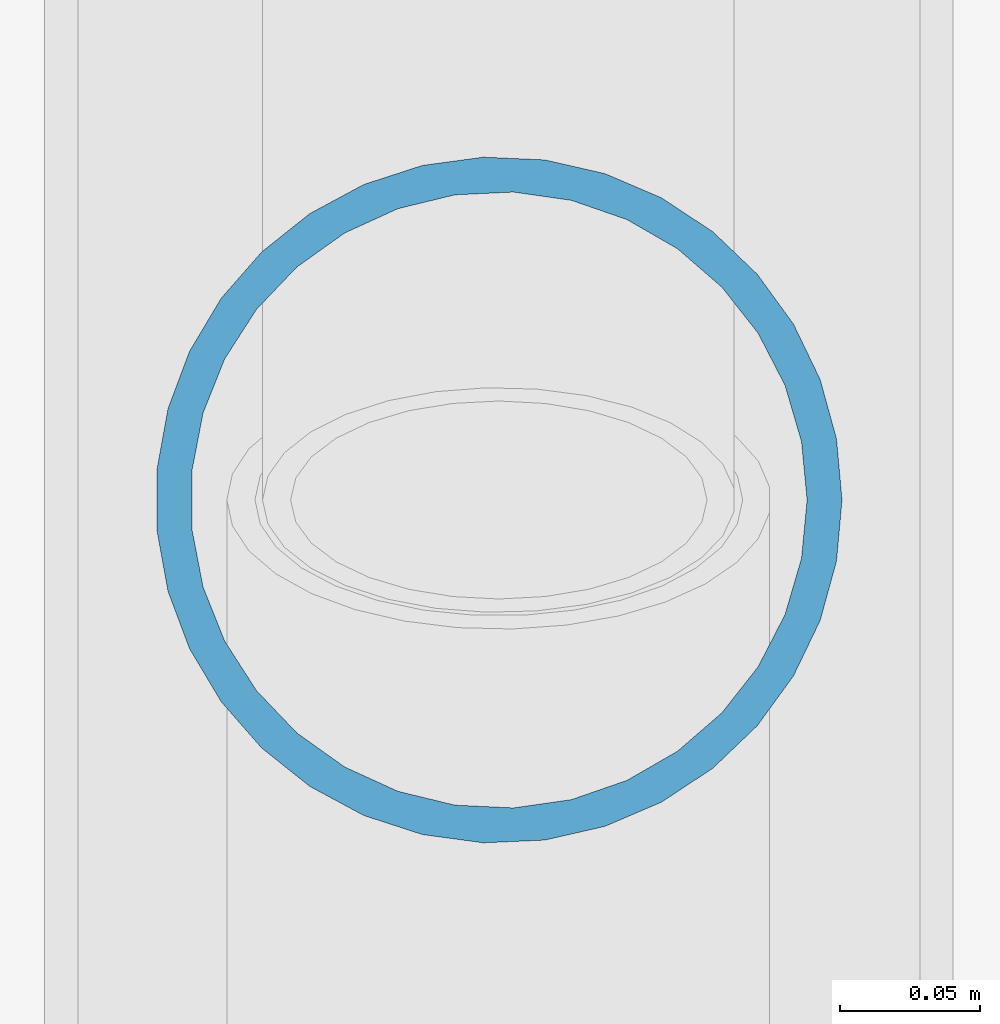
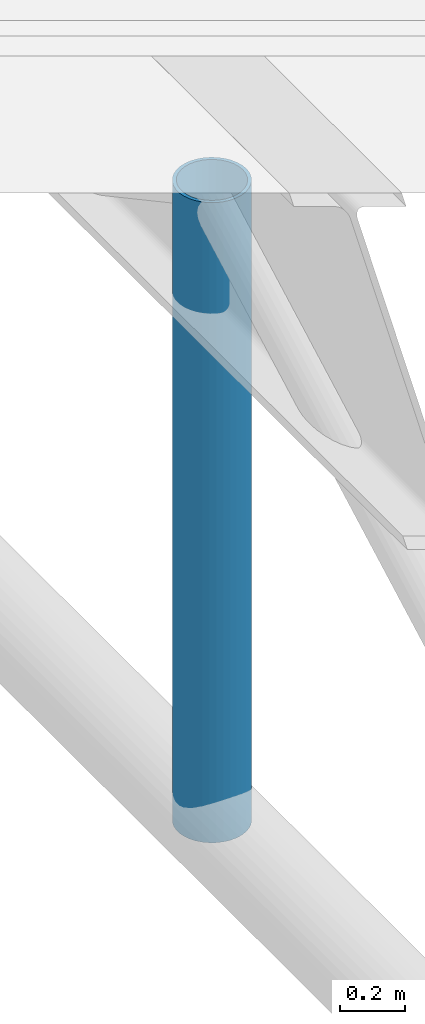
# One storey, part 64 of 196: 1 member.
"""IFC4 building model written with IfcOpenShell, lengths in metres."""

from ifc_helpers import new_model, si_unit, direction, frame, origin, origin_2d, place, context, subcontext, project, spatial, hollow_circle, extrude, material, material_profile, profile_set, type_object, element, save


model = new_model("IFC4")

# Units and contexts
model_context = context("Model", 3, precision=1e-05, world=origin(), true_north=direction((0.0, 1.0)))
body_context = subcontext(model_context, "Body", "Model", "MODEL_VIEW")
ifc_project = project(units=[si_unit("LENGTHUNIT", "METRE"), si_unit("AREAUNIT", "SQUARE_METRE"), si_unit("VOLUMEUNIT", "CUBIC_METRE"), si_unit("PLANEANGLEUNIT", "RADIAN"), si_unit("MASSUNIT", "GRAM", prefix="KILO")], contexts=[model_context])

# Site, building, storey
site_placement = place(None, origin())
site = spatial("IfcSite", under=ifc_project, at=site_placement, CompositionType="ELEMENT")
building_placement = place(site_placement, origin())
building = spatial("IfcBuilding", under=site, at=building_placement, Name="Barlavento Convention Centre", CompositionType="ELEMENT")
storey_placement = place(building_placement, frame((0.0, 0.0, 18.0)))
storey = spatial("IfcBuildingStorey", under=building, at=storey_placement, Name="L03", CompositionType="ELEMENT", Elevation=18.0)

# Member
ifc_material = material(Name="Steel S355", Category="steel")
ifc_material_profile = material_profile(ifc_material, hollow_circle(Radius=0.122314453125, WallThickness=0.012451171875, at=origin_2d()), Name="CHS 244.5x12.5")
ifc_profile_set = profile_set([ifc_material_profile], Name="Steel S355")
member_type = type_object("IfcMemberType", Name="STR-MEM-STRUT-CHS244", PredefinedType="STRUT", material=ifc_profile_set)
member_placement = place(storey_placement, frame((63.0, 94.5, -3.199951171875), z_axis=(0.0, 0.0, 1.0), x_axis=(1.0, 0.0, 0.0)))
element("IfcMember", 1, at=member_placement, inside=storey, type_object=member_type, Name="Exhibition space frame vertical strut", PredefinedType="STRUT", context=body_context, shape_type="SweptSolid", body=[
    extrude(hollow_circle(Radius=0.122314453125, WallThickness=0.012451171875, at=origin_2d()), origin(), (0.0, 0.0, 1.0), 2.405029296875),
])

save(model, "model.ifc")
